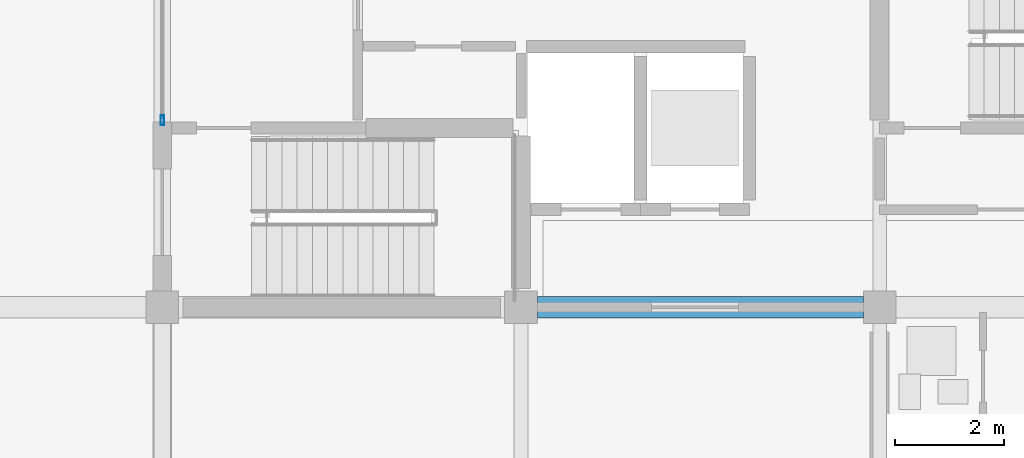
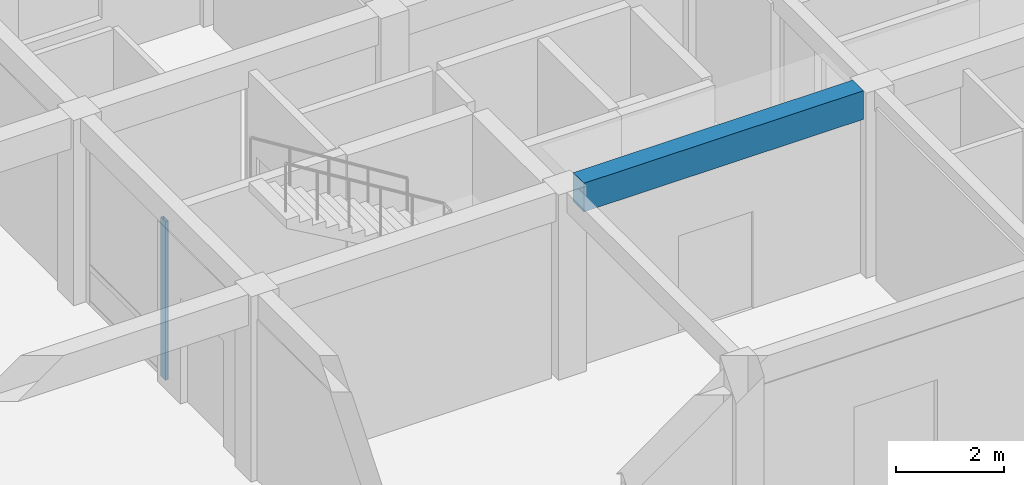
# One storey, part 26 of 75: 1 beam, 1 member, 1 element without a shape of its own.
"""IFC4 building model written with IfcOpenShell, lengths in metres."""

from ifc_helpers import new_model, si_unit, direction, frame, origin, origin_2d, place, context, subcontext, project, spatial, rectangle, hollow_rectangle, extrude, material, material_profile, profile_set, type_object, element, aggregate, save


model = new_model("IFC4")

# Units and contexts
model_context = context("Model", 3, precision=1e-05, world=origin(), true_north=direction((0.0, 1.0)))
body_context = subcontext(model_context, "Body", "Model", "MODEL_VIEW")
ifc_project = project(units=[si_unit("LENGTHUNIT", "METRE"), si_unit("AREAUNIT", "SQUARE_METRE"), si_unit("VOLUMEUNIT", "CUBIC_METRE"), si_unit("PLANEANGLEUNIT", "RADIAN"), si_unit("MASSUNIT", "GRAM", prefix="KILO")], contexts=[model_context])

# Site, building, storey
site_placement = place(None, origin())
site = spatial("IfcSite", under=ifc_project, at=site_placement, CompositionType="ELEMENT")
building_placement = place(site_placement, origin())
building = spatial("IfcBuilding", under=site, at=building_placement, Name="Kernevlak Ridge Housing Community", CompositionType="ELEMENT")
storey_placement = place(building_placement, origin())
storey = spatial("IfcBuildingStorey", under=building, at=storey_placement, Name="L00", CompositionType="ELEMENT", Elevation=0.0)

# Beam
ifc_material_1 = material(Name="Concrete C35/45", Category="concrete")
ifc_material_profile_1 = material_profile(ifc_material_1, rectangle(XDim=0.39990234375, YDim=0.64990234375, at=origin_2d()), Name="RC 400x650")
ifc_profile_set_1 = profile_set([ifc_material_profile_1], Name="Concrete C35/45")
beam_type = type_object("IfcBeamType", Name="B-03", PredefinedType="T_BEAM", material=ifc_profile_set_1)
beam_placement = place(storey_placement, frame((22.5, 82.60009765625, 3.875), z_axis=(1.0, 0.0, 0.0), x_axis=(0.0, 1.0, 0.0)))
element("IfcBeam", 1, at=beam_placement, inside=storey, type_object=beam_type, Name="Beam B-03 L00 43", PredefinedType="T_BEAM", context=body_context, shape_type="SweptSolid", body=[
    extrude(rectangle(XDim=0.39990234375, YDim=0.64990234375, at=origin_2d()), origin(), (0.0, 0.0, 1.0), 6.0),
])

# Curtain wall, member
ifc_material_2 = material(Name="Aluminium EN AW-6060 anodised and laminated glass", Category="aluminium")
curtain_wall_type = type_object("IfcCurtainWallType", Name="CW-07", PredefinedType="NOTDEFINED", material=ifc_material_2)
curtain_wall_placement = place(storey_placement, origin())
curtain_wall = element("IfcCurtainWall", 2, at=curtain_wall_placement, inside=storey, type_object=curtain_wall_type, Name="Curtain wall CW-07 CW-L00-002", PredefinedType="NOTDEFINED")
ifc_material_3 = material(Name="Aluminium EN AW-6060 anodised", Category="aluminium")
ifc_material_profile_2 = material_profile(ifc_material_3, hollow_rectangle(XDim=0.06494140625, YDim=0.179931640625, WallThickness=0.00439453125, InnerFilletRadius=0.001953125, OuterFilletRadius=0.00439453125, at=origin_2d()), Name="ALU 65x180x4.5")
ifc_profile_set_2 = profile_set([ifc_material_profile_2], Name="Aluminium EN AW-6060 anodised")
member_type = type_object("IfcMemberType", Name="MU-03", PredefinedType="MULLION", material=ifc_profile_set_2)
member_placement = place(storey_placement, frame((15.60009765625, 86.04248046875, 0.0), z_axis=(0.0, 0.0, 1.0), x_axis=(-1.0, 0.0, 0.0)))
member = element("IfcMember", 3, at=member_placement, type_object=member_type, Name="CW-07 mullion 1", PredefinedType="MULLION", context=body_context, shape_type="SweptSolid", body=[
    extrude(hollow_rectangle(XDim=0.06494140625, YDim=0.179931640625, WallThickness=0.00439453125, InnerFilletRadius=0.001953125, OuterFilletRadius=0.00439453125, at=origin_2d()), origin(), (0.0, 0.0, 1.0), 3.60009765625),
])
aggregate(curtain_wall, [member])

save(model, "model.ifc")
